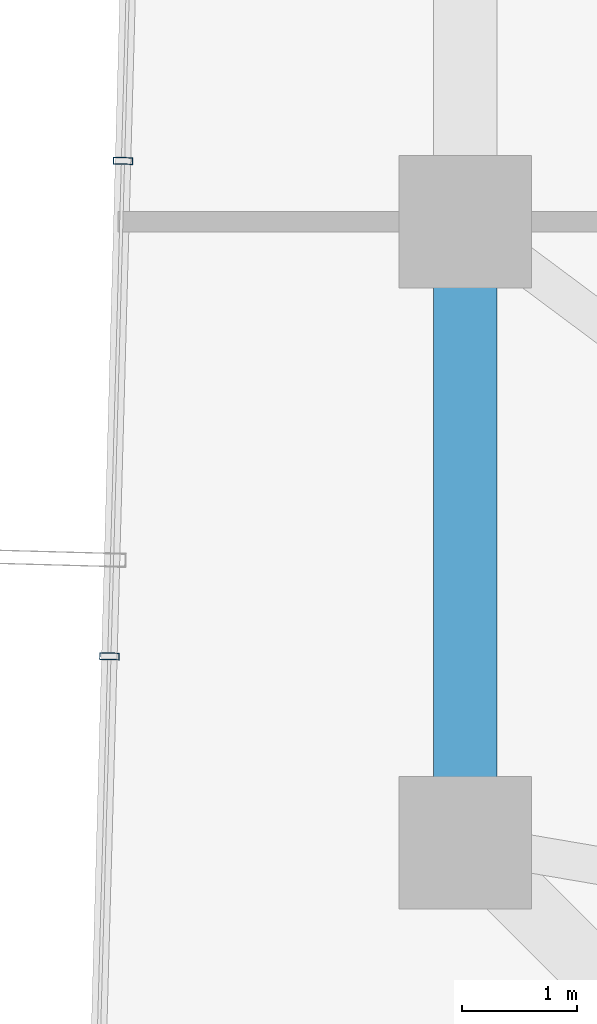
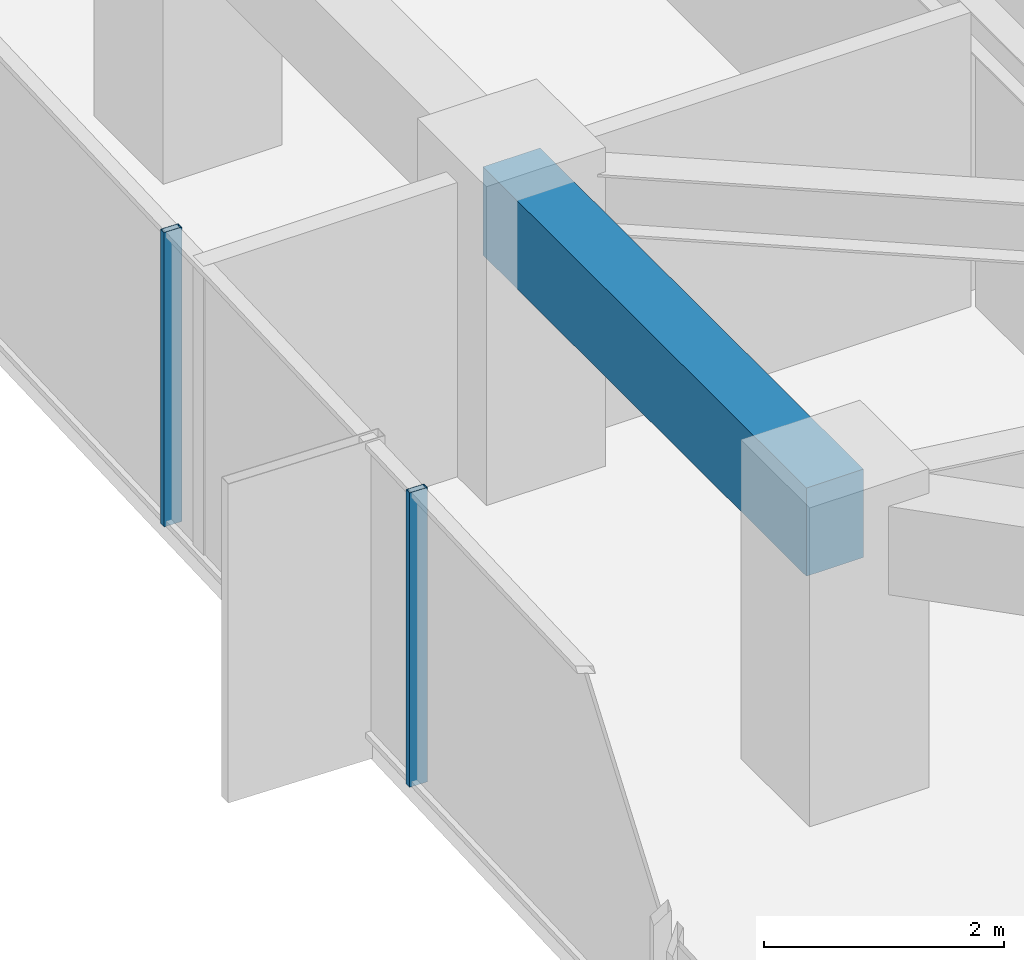
# One storey, part 9 of 30: 2 members, 1 beam, 1 element without a shape of its own.
"""IFC4 building model written with IfcOpenShell, lengths in metres."""

import ifcopenshell
import ifcopenshell.guid

model = None  # the IFC model being written
_history = None  # IfcOwnerHistory: only IFC2X3 demands one
_inside = {}  # id of a spatial element -> (the spatial element, [elements in it])
_under = {}  # id of a project, library or spatial element -> (it, [spatial elements below it])
_declared = {}  # id of a project -> (the project, [libraries it declares])
_typed = {}  # id of a type object -> (the type object, [elements of that type])
_made_of = {}  # id of a material, layer set ... -> (it, [elements and type objects made of it])


def new_model(schema):
    """Start an empty IFC model of exactly this schema.

    Asked for "IFC4X3", IfcOpenShell would pick the latest addendum, in which some entities
    have other attributes; the version numbers below select the first issue.
    IFC2X3 requires an IfcOwnerHistory on every rooted entity: one is made here for all.
    """
    global model, _history
    if schema == "IFC4X3":
        model = ifcopenshell.file(schema_version=(4, 3, 0, 0))
    else:
        model = ifcopenshell.file(schema=schema)
    _inside.clear()
    _under.clear()
    _declared.clear()
    _typed.clear()
    _made_of.clear()
    _history = None
    if model.schema == "IFC2X3":
        org = make("IfcOrganization", Name="unknown")
        user = make(
            "IfcPersonAndOrganization",
            ThePerson=make("IfcPerson", FamilyName="unknown"),
            TheOrganization=org,
        )
        app = make(
            "IfcApplication",
            ApplicationDeveloper=org,
            Version="unknown",
            ApplicationFullName="unknown",
            ApplicationIdentifier="unknown",
        )
        _history = make(
            "IfcOwnerHistory",
            OwningUser=user,
            OwningApplication=app,
            ChangeAction="ADDED",
            CreationDate=0,
        )
    return model


def make(cls, **values):
    """One entity of the class cls with the attributes given. An attribute that is None is left unset."""
    return model.create_entity(
        cls, **{name: value for name, value in values.items() if value is not None}
    )


def rooted(cls, **values):
    """An entity with a GlobalId (a new one), such as an element, a storey or a relation."""
    return make(cls, GlobalId=ifcopenshell.guid.new(), OwnerHistory=_history, **values)


def si_unit(unit_type, name, prefix=None):
    """IfcSIUnit, for example si_unit("LENGTHUNIT", "METRE", prefix="MILLI")."""
    return make("IfcSIUnit", UnitType=unit_type, Prefix=prefix, Name=name)


def assignment(units):
    """IfcUnitAssignment: the units of a project."""
    return None if units is None else make("IfcUnitAssignment", Units=units)


def point(xyz):
    """IfcCartesianPoint."""
    return None if xyz is None else make("IfcCartesianPoint", Coordinates=xyz)


def direction(xyz):
    """IfcDirection."""
    return None if xyz is None else make("IfcDirection", DirectionRatios=xyz)


def frame(location, z_axis=None, x_axis=None):
    """IfcAxis2Placement3D, a coordinate frame: its origin and axes. An axis left out is left unset."""
    return make(
        "IfcAxis2Placement3D",
        Location=point(location),
        Axis=direction(z_axis),
        RefDirection=direction(x_axis),
    )


def frame_2d(location, x_axis=None):
    """IfcAxis2Placement2D, a coordinate frame in the plane: its origin and x axis."""
    return make(
        "IfcAxis2Placement2D", Location=point(location), RefDirection=direction(x_axis)
    )


def origin():
    """The frame at (0, 0, 0) with its axes left unset."""
    return frame((0.0, 0.0, 0.0))


def origin_2d():
    """The frame at (0, 0) in the plane with its x axis left unset."""
    return frame_2d((0.0, 0.0))


def place(relative_to, where):
    """IfcLocalPlacement: puts the frame where relative to a parent placement (None: the world)."""
    return make(
        "IfcLocalPlacement", PlacementRelTo=relative_to, RelativePlacement=where
    )


def context(
    kind, dimensions, precision=None, world=None, true_north=None, identifier=None
):
    """IfcGeometricRepresentationContext, for example the 3D "Model" context."""
    return make(
        "IfcGeometricRepresentationContext",
        ContextIdentifier=identifier,
        ContextType=kind,
        CoordinateSpaceDimension=dimensions,
        Precision=precision,
        WorldCoordinateSystem=world,
        TrueNorth=true_north,
    )


def subcontext(parent, identifier, kind, view, scale=None):
    """IfcGeometricRepresentationSubContext, for example "Body" below "Model"."""
    return make(
        "IfcGeometricRepresentationSubContext",
        ContextIdentifier=identifier,
        ContextType=kind,
        ParentContext=parent,
        TargetScale=scale,
        TargetView=view,
    )


def project(units=None, contexts=None):
    """IfcProject with its units and contexts."""
    return rooted(
        "IfcProject",
        Name="project",
        RepresentationContexts=contexts,
        UnitsInContext=assignment(units),
    )


def spatial(cls, under=None, at=None, **own):
    """A site, building, storey or space (cls), placed at a placement, below another one or the project."""
    s = rooted(cls, ObjectPlacement=at, **own)
    if under is not None:
        _under.setdefault(under.id(), (under, []))[1].append(s)
    return s


def profile(cls, at=None, kind="AREA", **sizes):
    """A parametric profile (cls). Its sizes go by their IFC names, for example OverallWidth=200.0."""
    return make(cls, ProfileType=kind, Position=at, **sizes)


def rectangle(**sizes):
    """IfcRectangleProfileDef."""
    return profile("IfcRectangleProfileDef", **sizes)


def hollow_rectangle(**sizes):
    """IfcRectangleHollowProfileDef."""
    return profile("IfcRectangleHollowProfileDef", **sizes)


def extrude(swept, where, along, depth):
    """IfcExtrudedAreaSolid: the profile swept, set in the frame where, extruded along a direction by depth."""
    return make(
        "IfcExtrudedAreaSolid",
        SweptArea=swept,
        Position=where,
        ExtrudedDirection=direction(along),
        Depth=depth,
    )


def shape(context_of_items, identifier, shape_type, items):
    """IfcShapeRepresentation: the items that make up one representation, for example the "Body"."""
    return make(
        "IfcShapeRepresentation",
        ContextOfItems=context_of_items,
        RepresentationIdentifier=identifier,
        RepresentationType=shape_type,
        Items=items,
    )


def source(mapping_origin, context_of_items, identifier, shape_type, items):
    """IfcRepresentationMap: a shape defined once, which mapped items show again and again."""
    return make(
        "IfcRepresentationMap",
        MappingOrigin=mapping_origin,
        MappedRepresentation=shape(context_of_items, identifier, shape_type, items),
    )


def transform(
    local_origin,
    x_axis=None,
    y_axis=None,
    z_axis=None,
    scale=None,
    scale2=None,
    scale3=None,
    uniform=True,
):
    """IfcCartesianTransformationOperator3D, or its non-uniform kind. x_axis, y_axis, z_axis: its Axis1, 2, 3."""
    if uniform:
        return make(
            "IfcCartesianTransformationOperator3D",
            Axis1=direction(x_axis),
            Axis2=direction(y_axis),
            LocalOrigin=point(local_origin),
            Scale=scale,
            Axis3=direction(z_axis),
        )
    return make(
        "IfcCartesianTransformationOperator3DnonUniform",
        Axis1=direction(x_axis),
        Axis2=direction(y_axis),
        LocalOrigin=point(local_origin),
        Scale=scale,
        Axis3=direction(z_axis),
        Scale2=scale2,
        Scale3=scale3,
    )


def mapped(mapping_source, mapping_target):
    """IfcMappedItem: shows the shape of a source again, moved by a transform."""
    return make(
        "IfcMappedItem", MappingSource=mapping_source, MappingTarget=mapping_target
    )


def material(Name=None, Category=None):
    """IfcMaterial."""
    return make("IfcMaterial", Name=Name, Category=Category)


def layer(
    of_material, thickness, ventilated=None, Name=None, Category=None, Priority=None
):
    """IfcMaterialLayer: one layer of a wall or slab, of a material (None: an air gap)."""
    return make(
        "IfcMaterialLayer",
        Material=of_material,
        LayerThickness=thickness,
        IsVentilated=ventilated,
        Name=Name,
        Category=Category,
        Priority=Priority,
    )


def layer_set(layers, Name=None):
    """IfcMaterialLayerSet."""
    return make("IfcMaterialLayerSet", MaterialLayers=layers, LayerSetName=Name)


def material_profile(
    of_material, cross_section, Name=None, Category=None, Priority=None
):
    """IfcMaterialProfile: a cross section and its material."""
    return make(
        "IfcMaterialProfile",
        Name=Name,
        Material=of_material,
        Profile=cross_section,
        Priority=Priority,
        Category=Category,
    )


def profile_set(profiles, Name=None, composite=None):
    """IfcMaterialProfileSet."""
    return make(
        "IfcMaterialProfileSet",
        Name=Name,
        MaterialProfiles=profiles,
        CompositeProfile=composite,
    )


def made_of(thing, what):
    """Note that an element or type object is made of a material, layer set ...; save() writes the relation."""
    if what is not None:
        _made_of.setdefault(what.id(), (what, []))[1].append(thing)
    return thing


def type_object(cls, material=None, **own):
    """A type object (cls), such as IfcWallType, which elements share."""
    return made_of(rooted(cls, **own), material)


def element(
    cls,
    number,
    at=None,
    inside=None,
    cuts=None,
    type_object=None,
    material=None,
    context=None,
    identifier="Body",
    shape_type=None,
    held_by="IfcProductDefinitionShape",
    body=None,
    shapes=None,
    **own,
):
    """One element of the class cls, such as IfcWall. Its Tag is "e" and its number.

    at: its placement. inside: the storey or other place that contains it. cuts: it is an
    opening in that element (IfcRelVoidsElement). A single representation is given by context,
    identifier, shape_type and body (its items); several are given by shapes. held_by: the class
    of the entity that holds the representations. save() writes the other relations.
    """
    e = rooted(cls, Tag="e%d" % number, ObjectPlacement=at, **own)
    if body is not None:
        shapes = [shape(context, identifier, shape_type, body)]
    if shapes is not None:
        e.Representation = make(held_by, Representations=shapes)
    if inside is not None:
        _inside.setdefault(inside.id(), (inside, []))[1].append(e)
    if cuts is not None:
        rooted(
            "IfcRelVoidsElement", RelatingBuildingElement=cuts, RelatedOpeningElement=e
        )
    if type_object is not None:
        _typed.setdefault(type_object.id(), (type_object, []))[1].append(e)
    return made_of(e, material)


def aggregate(whole, parts):
    """IfcRelAggregates: a whole, such as a stair, and the parts it consists of."""
    return rooted("IfcRelAggregates", RelatingObject=whole, RelatedObjects=parts)


def save(model, path):
    """Write the relations noted so far, then the file.

    IfcRelAggregates (storeys below a building ...), IfcRelContainedInSpatialStructure (elements
    in a storey), IfcRelDefinesByType, IfcRelAssociatesMaterial and IfcRelDeclares: one each for
    every whole, place, type object, material and project.
    """
    for whole, parts in _under.values():
        aggregate(whole, parts)
    for where, things in _inside.values():
        rooted(
            "IfcRelContainedInSpatialStructure",
            RelatedElements=things,
            RelatingStructure=where,
        )
    for kind, things in _typed.values():
        rooted("IfcRelDefinesByType", RelatedObjects=things, RelatingType=kind)
    for what, things in _made_of.values():
        rooted("IfcRelAssociatesMaterial", RelatedObjects=things, RelatingMaterial=what)
    for by, libraries in _declared.values():
        rooted("IfcRelDeclares", RelatingContext=by, RelatedDefinitions=libraries)
    model.write(path)


model = new_model("IFC4")

# Units and contexts
model_context = context("Model", 3, precision=1e-05, world=origin(), true_north=direction((0.0, 1.0)))
body_context = subcontext(model_context, "Body", "Model", "MODEL_VIEW")
ifc_project = project(units=[si_unit("LENGTHUNIT", "METRE"), si_unit("AREAUNIT", "SQUARE_METRE"), si_unit("VOLUMEUNIT", "CUBIC_METRE"), si_unit("PLANEANGLEUNIT", "RADIAN"), si_unit("MASSUNIT", "GRAM", prefix="KILO")], contexts=[model_context])

# Site, building, storey
site_placement = place(None, origin())
site = spatial("IfcSite", under=ifc_project, at=site_placement, CompositionType="ELEMENT")
building_placement = place(site_placement, origin())
building = spatial("IfcBuilding", under=site, at=building_placement, Name="Veraguas Prism Commons", CompositionType="ELEMENT")
storey_placement = place(building_placement, frame((0.0, 0.0, 123.0)))
storey = spatial("IfcBuildingStorey", under=building, at=storey_placement, Name="L34", CompositionType="ELEMENT", Elevation=123.0)

# Beam
ifc_material_1 = material(Name="Concrete C50/60", Category="concrete")
ifc_material_profile_1 = material_profile(ifc_material_1, rectangle(XDim=0.550048828125, YDim=0.89990234375, at=origin_2d()), Name="RC550X900")
ifc_profile_set_1 = profile_set([ifc_material_profile_1], Name="Concrete C50/60")
beam_type = type_object("IfcBeamType", Name="Perimeter Spandrel Lower RC 550x900", PredefinedType="SPANDREL", material=ifc_profile_set_1)
beam_placement = place(storey_placement, frame((7.800048828125, 24.0, 2.550048828125), z_axis=(0.0, -1.0, 0.0), x_axis=(1.0, 0.0, 0.0)))
element("IfcBeam", 1, at=beam_placement, inside=storey, type_object=beam_type, Name="Perimeter Spandrel Beam L34-SP08", PredefinedType="SPANDREL", context=body_context, shape_type="SweptSolid", body=[
    extrude(rectangle(XDim=0.550048828125, YDim=0.89990234375, at=origin_2d()), origin(), (0.0, 0.0, 1.0), 5.39990234375),
])

# Curtain wall, members
ifc_material_2 = material(Name="Anodised aluminium EN AW-6063 T6", Category="aluminium")
ifc_layer = layer(ifc_material_2, 0.169921875, Name="Unitised Flush Curtain Wall Zone 2", Category="aluminium")
ifc_layer_set = layer_set([ifc_layer], Name="Anodised aluminium EN AW-6063 T6")
curtain_wall_type = type_object("IfcCurtainWallType", Name="Unitised Flush Curtain Wall Zone 2", PredefinedType="NOTDEFINED", material=ifc_layer_set)
curtain_wall_placement = place(storey_placement, origin())
curtain_wall = element("IfcCurtainWall", 2, at=curtain_wall_placement, inside=storey, type_object=curtain_wall_type, Name="Tower Facade Curtain Wall L34-F3", PredefinedType="NOTDEFINED")
ifc_material_profile_2 = material_profile(ifc_material_2, hollow_rectangle(XDim=0.06005859375, YDim=0.169921875, WallThickness=0.00390625, at=origin_2d()), Name="AL60X170X4")
ifc_profile_set_2 = profile_set([ifc_material_profile_2], Name="Anodised aluminium EN AW-6063 T6")
member_type = type_object("IfcMemberType", Name="Curtain Wall Mullion Lower AL 60x170x4", PredefinedType="MULLION", material=ifc_profile_set_2)
shared_shape = source(origin(), body_context, "Body", "SweptSolid", [
    extrude(hollow_rectangle(XDim=0.06005859375, YDim=0.169921875, WallThickness=0.00390625, at=origin_2d()), origin(), (0.0, 0.0, 1.0), 3.0),
])
member_1_placement = place(storey_placement, frame((4.824951171875, 24.52880859375, 0.0), z_axis=(0.0, 0.0, 1.0), x_axis=(-0.027567473277, -0.999619944988, 0.0)))
member_1 = element("IfcMember", 3, at=member_1_placement, type_object=member_type, Name="CW-Z2 Mullion 3", PredefinedType="MULLION", context=body_context, shape_type="MappedRepresentation", body=[
    mapped(shared_shape, transform((0.0, 0.0, 0.0), scale=1.0)),
])
member_2_placement = place(storey_placement, frame((4.7060546875, 20.221923828125, 0.0), z_axis=(0.0, 0.0, 1.0), x_axis=(-0.027567473277, -0.999619944988, 0.0)))
member_2 = element("IfcMember", 4, at=member_2_placement, type_object=member_type, Name="CW-Z2 Mullion 4", PredefinedType="MULLION", context=body_context, shape_type="MappedRepresentation", body=[
    mapped(shared_shape, transform((0.0, 0.0, 0.0), scale=1.0)),
])
aggregate(curtain_wall, [member_1, member_2])

save(model, "model.ifc")
